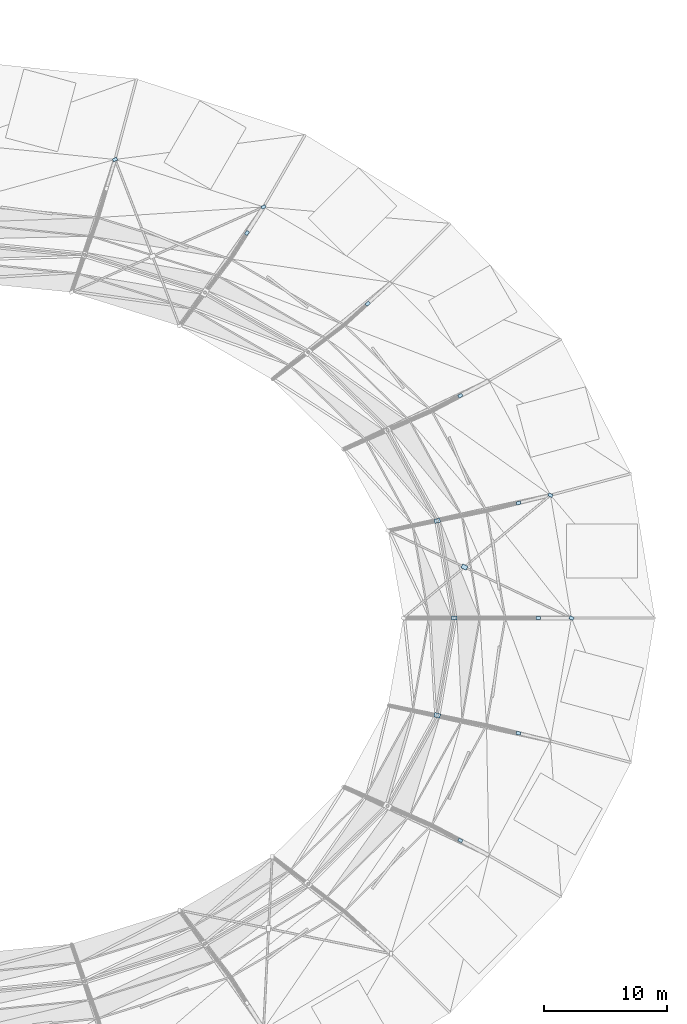
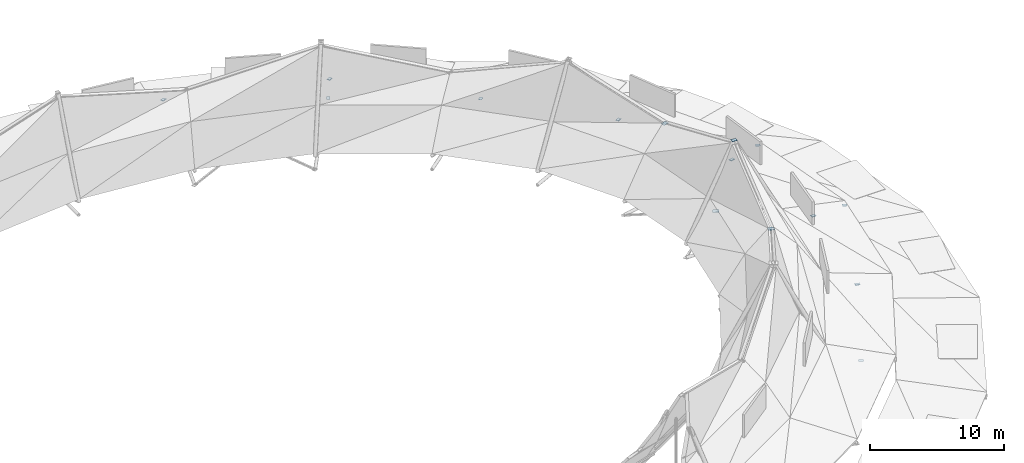
# One storey, part 35 of 36: 15 plates.
"""IFC4 building model written with IfcOpenShell, lengths in metres."""

from ifc_helpers import new_model, si_unit, direction, frame, origin, origin_2d, place, context, subcontext, project, spatial, rectangle, extrude, material, layer, layer_set, type_object, element, save


model = new_model("IFC4")

# Units and contexts
model_context = context("Model", 3, precision=1e-05, world=origin(), true_north=direction((0.0, 1.0)))
body_context = subcontext(model_context, "Body", "Model", "MODEL_VIEW")
ifc_project = project(units=[si_unit("LENGTHUNIT", "METRE"), si_unit("AREAUNIT", "SQUARE_METRE"), si_unit("VOLUMEUNIT", "CUBIC_METRE"), si_unit("PLANEANGLEUNIT", "RADIAN"), si_unit("MASSUNIT", "GRAM", prefix="KILO")], contexts=[model_context])

# Site, building, storey
site_placement = place(None, origin())
site = spatial("IfcSite", under=ifc_project, at=site_placement, CompositionType="ELEMENT")
building_placement = place(site_placement, origin())
building = spatial("IfcBuilding", under=site, at=building_placement, Name="Kildeholm Park Wholesale Market", CompositionType="ELEMENT")
storey_placement = place(building_placement, frame((0.0, 0.0, 17.39990234375)))
storey = spatial("IfcBuildingStorey", under=building, at=storey_placement, Name="Roof", CompositionType="ELEMENT", Elevation=17.39990234375)

# Plates
ifc_material = material(Name="Steel S355", Category="steel")
ifc_layer_1 = layer(ifc_material, 0.02001953125)
ifc_layer_set_1 = layer_set([ifc_layer_1], Name="Steel S355")
plate_type_1 = type_object("IfcPlateType", Name="Steel connection plate EP-01 360x260x20", PredefinedType="SHEET", material=ifc_layer_set_1)
for number, where, z_axis, x_axis, name in (
    (1, (146.5, 89.5, -4.639892578125), (0.0, 0.0, 1.0), (-1.0, 0.0, 0.0), "Truss diagonal end plate V1-00-WB1 PLT-0001"),
    (2, (149.199951171875, 89.5, -4.639892578125), (0.0, 0.0, 1.0), (-0.902810575698, 0.430038445267, 0.0), "Brace end connection plate BR-V1-RF-00-1 PLT-0003"),
    (3, (147.489013671875, 99.51611328125, -4.639892578125), (0.0, 0.0, 1.0), (-0.902810575698, 0.430038445267, 0.0), "Brace end connection plate BR-V1-RF-00-3 PLT-0005"),
    (4, (144.881103515625, 98.882080078125, -4.639892578125), (0.0, 0.0, 1.0), (-0.971714227441, -0.236159819165, 0.0), "Truss diagonal end plate V1-01-WB1 PLT-0010"),
    (5, (140.135986328125, 107.625, -4.639892578125), (0.0, 0.0, 1.0), (-0.88579893978, -0.464069217127, 0.0), "Truss diagonal end plate V1-02-WB1 PLT-0014"),
    (6, (132.587890625, 115.132080078125, -4.639892578125), (0.0, 0.0, 1.0), (-0.740804596287, -0.671720589323, 0.0), "Truss diagonal end plate V1-03-WB1 PLT-0018"),
    (7, (122.75, 120.89404296875, -4.639892578125), (0.0, 0.0, 1.0), (-0.536710679153, -0.843766346142, 0.0), "Truss diagonal end plate V1-04-WB1 PLT-0022"),
    (8, (124.10009765625, 123.014892578125, -4.639892578125), (0.0, 0.0, 1.0), (-0.913900054426, -0.405939269498, 0.0), "Brace end connection plate BR-V1-RF-04-1 PLT-0024"),
    (9, (111.992919921875, 126.881103515625, -4.639892578125), (0.0, 0.0, 1.0), (-0.913900054426, -0.405939269498, 0.0), "Brace end connection plate BR-V1-RF-04-3 PLT-0026"),
    (10, (140.135986328125, 71.375, -4.639892578125), (0.0, 0.0, 1.0), (-0.88579893978, 0.464069217127, 0.0), "Truss diagonal end plate V1-22-WB1 PLT-0119"),
    (11, (144.881103515625, 80.117919921875, -4.639892578125), (0.0, 0.0, 1.0), (-0.971714227441, 0.236159819165, 0.0), "Truss diagonal end plate V1-23-WB1 PLT-0123"),
):
    element("IfcPlate", number, at=place(storey_placement, frame(where, z_axis=z_axis, x_axis=x_axis)), inside=storey, type_object=plate_type_1, Name=name, PredefinedType="SHEET", context=body_context, shape_type="SweptSolid", body=[
        extrude(rectangle(XDim=0.360107421875, YDim=0.260009765625, at=origin_2d()), origin(), (0.0, 0.0, 1.0), 0.02001953125),
    ])
ifc_layer_2 = layer(ifc_material, 0.02392578125)
ifc_layer_set_2 = layer_set([ifc_layer_2], Name="Steel S355")
plate_type_2 = type_object("IfcPlateType", Name="Steel connection plate GP-01 420x300x24", PredefinedType="SHEET", material=ifc_layer_set_2)
plate_1_placement = place(storey_placement, frame((139.64990234375, 89.5, 4.648193359375), z_axis=(0.0, 0.0, 1.0), x_axis=(1.0, 0.0, 0.0)))
element("IfcPlate", 12, at=plate_1_placement, inside=storey, type_object=plate_type_2, Name="Arch crown gusset plate TR-01 PLT-0009", PredefinedType="SHEET", context=body_context, shape_type="SweptSolid", body=[
    extrude(rectangle(XDim=0.419921875, YDim=0.300048828125, at=origin_2d()), origin(), (0.0, 0.0, 1.0), 0.02392578125),
])
ifc_layer_3 = layer(ifc_material, 0.02587890625)
ifc_layer_set_3 = layer_set([ifc_layer_3], Name="Steel S355")
plate_type_3 = type_object("IfcPlateType", Name="Steel connection plate GP-02 480x340x26", PredefinedType="SHEET", material=ifc_layer_set_3)
for number, where, z_axis, x_axis, name in (
    (13, (140.474609375, 93.656005859375, -4.642822265625), (0.0, 0.0, 1.0), (-0.902810575698, 0.430038445267, 0.0), "X-brace crossing gusset plate BR-V1-RF-00 PLT-0002"),
    (14, (138.263916015625, 97.43310546875, 1.84716796875), (0.0, 0.0, 1.0), (0.965925826289, 0.258819045103, 0.0), "Arch crown gusset plate TR-02 PLT-0013"),
):
    element("IfcPlate", number, at=place(storey_placement, frame(where, z_axis=z_axis, x_axis=x_axis)), inside=storey, type_object=plate_type_3, Name=name, PredefinedType="SHEET", context=body_context, shape_type="SweptSolid", body=[
        extrude(rectangle(XDim=0.47998046875, YDim=0.340087890625, at=origin_2d()), origin(), (0.0, 0.0, 1.0), 0.02587890625),
    ])
ifc_layer_4 = layer(ifc_material, 0.028076171875)
ifc_layer_set_4 = layer_set([ifc_layer_4], Name="Steel S355")
plate_type_4 = type_object("IfcPlateType", Name="Steel connection plate GP-06 500x360x28", PredefinedType="SHEET", material=ifc_layer_set_4)
plate_2_placement = place(storey_placement, frame((138.263916015625, 81.56689453125, 1.84619140625), z_axis=(0.0, 0.0, 1.0), x_axis=(0.965925826289, -0.258819045103, 0.0)))
element("IfcPlate", 15, at=plate_2_placement, inside=storey, type_object=plate_type_4, Name="Arch crown gusset plate TR-24 PLT-0126", PredefinedType="SHEET", context=body_context, shape_type="SweptSolid", body=[
    extrude(rectangle(XDim=0.5, YDim=0.360107421875, at=origin_2d()), origin(), (0.0, 0.0, 1.0), 0.028076171875),
])

save(model, "model.ifc")
